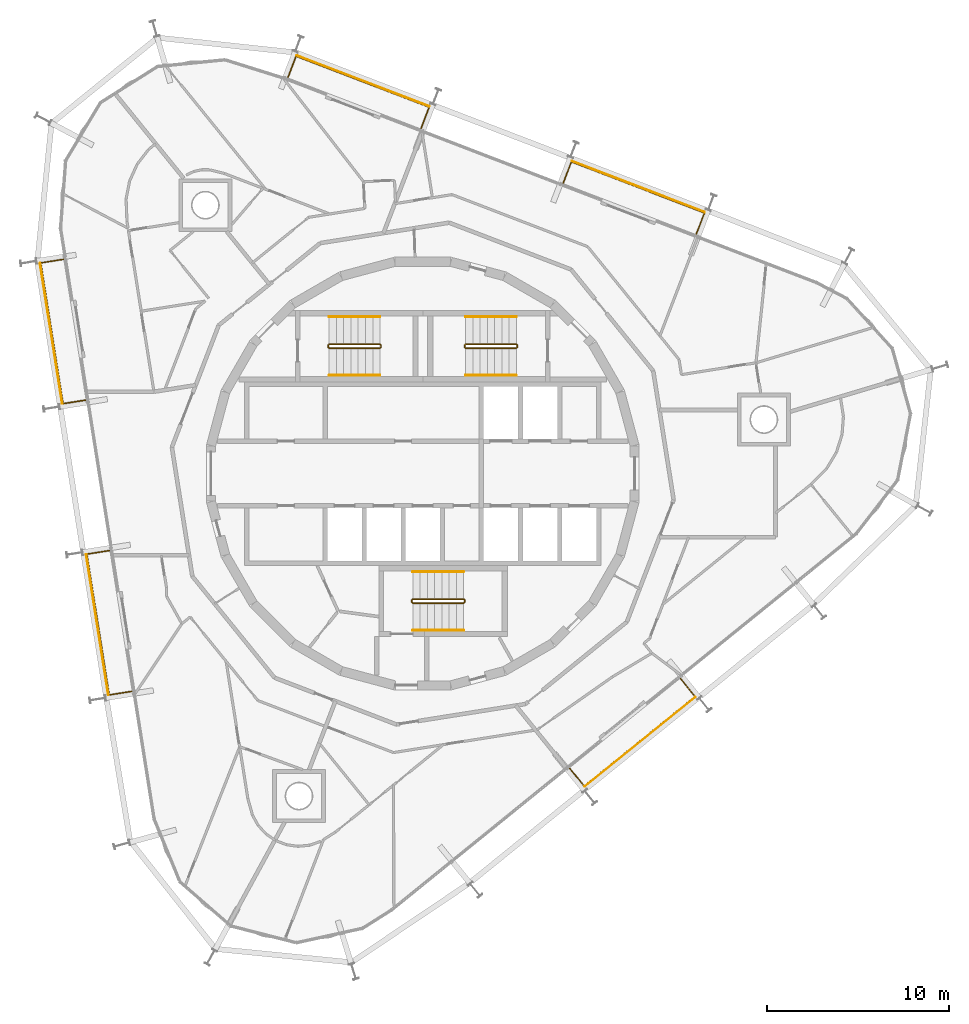
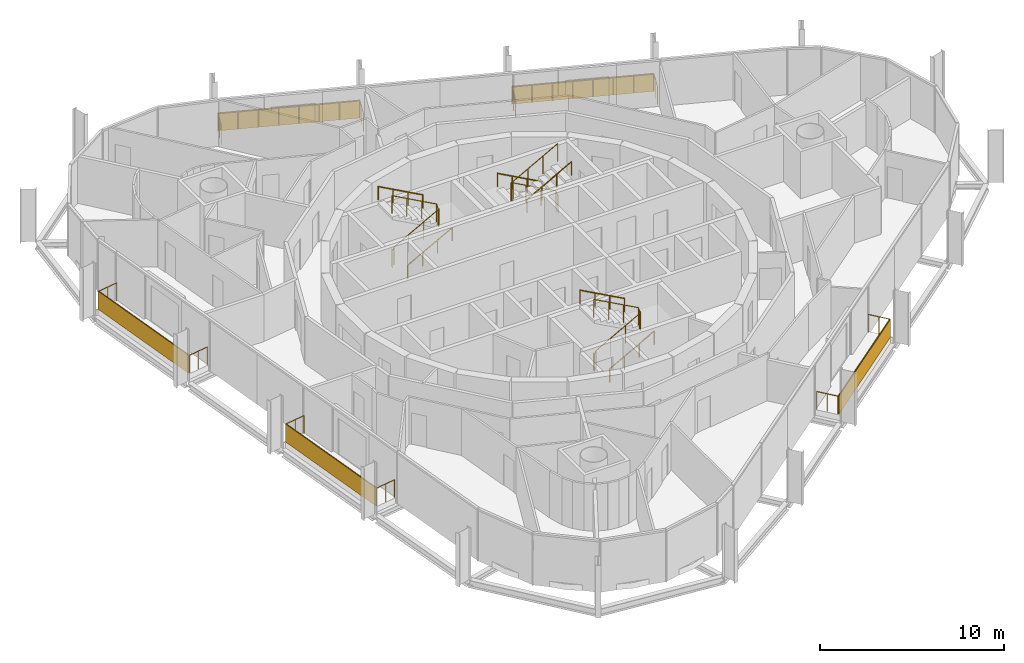
# One storey, part 18 of 18: 14 railings, 5 shading devices.
"""IFC4 building model written with IfcOpenShell, lengths in metres."""

from ifc_helpers import new_model, si_unit, direction, frame, origin, origin_2d, place, context, subcontext, project, spatial, rectangle, circle, extrude, material, layer, layer_set, type_object, element, save


model = new_model("IFC4")

# Units and contexts
model_context = context("Model", 3, precision=1e-05, world=origin(), true_north=direction((0.0, 1.0)))
body_context = subcontext(model_context, "Body", "Model", "MODEL_VIEW")
ifc_project = project(units=[si_unit("LENGTHUNIT", "METRE"), si_unit("AREAUNIT", "SQUARE_METRE"), si_unit("VOLUMEUNIT", "CUBIC_METRE"), si_unit("PLANEANGLEUNIT", "RADIAN"), si_unit("MASSUNIT", "GRAM", prefix="KILO")], contexts=[model_context])

# Site, building, storey
site_placement = place(None, origin())
site = spatial("IfcSite", under=ifc_project, at=site_placement, CompositionType="ELEMENT")
building_placement = place(site_placement, origin())
building = spatial("IfcBuilding", under=site, at=building_placement, Name="Spindle Arch Residences", CompositionType="ELEMENT")
storey_placement = place(building_placement, frame((0.0, 0.0, 273.89990234375)))
storey = spatial("IfcBuildingStorey", under=building, at=storey_placement, Name="L70", CompositionType="ELEMENT", Elevation=273.89990234375)

# Railings
ifc_material_1 = material(Name="Bronze anodised aluminium guard with glass infill", Category="aluminium")
railing_type_1 = type_object("IfcRailingType", Name="Balcony guard 1200", PredefinedType="GUARDRAIL", material=ifc_material_1)
railing_1_placement = place(storey_placement, frame((15.04296875, 13.17041015625, 0.0)))
element("IfcRailing", 1, at=railing_1_placement, inside=storey, type_object=railing_type_1, Name="Guard L70 bay 6", PredefinedType="GUARDRAIL", context=body_context, shape_type="SweptSolid", body=[
    extrude(circle(Radius=0.02392578125, at=origin_2d()), frame((0.0, 0.0, 1.17578125), z_axis=(0.358219824021, 0.933637273077, 0.0), x_axis=(-0.933637273077, 0.358219824021, 0.0)), (0.0, 0.0, 1.0), 1.25),
    extrude(circle(Radius=0.02392578125, at=origin_2d()), frame((0.44775390625, 1.1669921875, 1.17578125), z_axis=(-0.933574226738, 0.358384100054, 0.0), x_axis=(-0.358384100054, -0.933574226738, 0.0)), (0.0, 0.0, 1.0), 7.83740234375),
    extrude(circle(Radius=0.02392578125, at=origin_2d()), frame((-6.869140625, 3.975830078125, 1.17578125), z_axis=(-0.358390063807, -0.933571937327, 0.0), x_axis=(0.933571937327, -0.358390063807, 0.0)), (0.0, 0.0, 1.0), 1.25),
    extrude(circle(Radius=0.02099609375, at=origin_2d()), origin(), (0.0, 0.0, 1.0), 1.15185546875),
    extrude(circle(Radius=0.02099609375, at=origin_2d()), frame((0.223876953125, 0.58349609375, 0.0)), (0.0, 0.0, 1.0), 1.15185546875),
    extrude(circle(Radius=0.02099609375, at=origin_2d()), frame((0.44775390625, 1.1669921875, 0.0)), (0.0, 0.0, 1.0), 1.15185546875),
    extrude(circle(Radius=0.02099609375, at=origin_2d()), frame((-0.597412109375, 1.568359375, 0.0)), (0.0, 0.0, 1.0), 1.15185546875),
    extrude(circle(Radius=0.02099609375, at=origin_2d()), frame((-1.642822265625, 1.969482421875, 0.0)), (0.0, 0.0, 1.0), 1.15185546875),
    extrude(circle(Radius=0.02099609375, at=origin_2d()), frame((-2.68798828125, 2.370849609375, 0.0)), (0.0, 0.0, 1.0), 1.15185546875),
    extrude(circle(Radius=0.02099609375, at=origin_2d()), frame((-3.7333984375, 2.77197265625, 0.0)), (0.0, 0.0, 1.0), 1.15185546875),
    extrude(circle(Radius=0.02099609375, at=origin_2d()), frame((-4.778564453125, 3.17333984375, 0.0)), (0.0, 0.0, 1.0), 1.15185546875),
    extrude(circle(Radius=0.02099609375, at=origin_2d()), frame((-5.823974609375, 3.574462890625, 0.0)), (0.0, 0.0, 1.0), 1.15185546875),
    extrude(circle(Radius=0.02099609375, at=origin_2d()), frame((-6.869140625, 3.975830078125, 0.0)), (0.0, 0.0, 1.0), 1.15185546875),
    extrude(circle(Radius=0.02099609375, at=origin_2d()), frame((-7.09326171875, 3.392333984375, 0.0)), (0.0, 0.0, 1.0), 1.15185546875),
    extrude(circle(Radius=0.02099609375, at=origin_2d()), frame((-7.317138671875, 2.808837890625, 0.0)), (0.0, 0.0, 1.0), 1.15185546875),
])
railing_2_placement = place(storey_placement, frame((-0.09521484375, 18.9814453125, 0.0)))
element("IfcRailing", 2, at=railing_2_placement, inside=storey, type_object=railing_type_1, Name="Guard L70 bay 8", PredefinedType="GUARDRAIL", context=body_context, shape_type="SweptSolid", body=[
    extrude(circle(Radius=0.02392578125, at=origin_2d()), frame((0.0, 0.0, 1.17578125), z_axis=(0.358390063807, 0.933571937327, 0.0), x_axis=(-0.933571937327, 0.358390063807, 0.0)), (0.0, 0.0, 1.0), 1.25),
    extrude(circle(Radius=0.02392578125, at=origin_2d()), frame((0.447998046875, 1.1669921875, 1.17578125), z_axis=(-0.93357822748, 0.358373678128, 0.0), x_axis=(-0.358373678128, -0.93357822748, 0.0)), (0.0, 0.0, 1.0), 7.837646484375),
    extrude(circle(Radius=0.02392578125, at=origin_2d()), frame((-6.869140625, 3.975830078125, 1.17578125), z_axis=(-0.358390063807, -0.933571937327, 0.0), x_axis=(0.933571937327, -0.358390063807, 0.0)), (0.0, 0.0, 1.0), 1.25),
    extrude(circle(Radius=0.02099609375, at=origin_2d()), origin(), (0.0, 0.0, 1.0), 1.15185546875),
    extrude(circle(Radius=0.02099609375, at=origin_2d()), frame((0.22412109375, 0.58349609375, 0.0)), (0.0, 0.0, 1.0), 1.15185546875),
    extrude(circle(Radius=0.02099609375, at=origin_2d()), frame((0.447998046875, 1.1669921875, 0.0)), (0.0, 0.0, 1.0), 1.15185546875),
    extrude(circle(Radius=0.02099609375, at=origin_2d()), frame((-0.597412109375, 1.568359375, 0.0)), (0.0, 0.0, 1.0), 1.15185546875),
    extrude(circle(Radius=0.02099609375, at=origin_2d()), frame((-1.642578125, 1.969482421875, 0.0)), (0.0, 0.0, 1.0), 1.15185546875),
    extrude(circle(Radius=0.02099609375, at=origin_2d()), frame((-2.68798828125, 2.370849609375, 0.0)), (0.0, 0.0, 1.0), 1.15185546875),
    extrude(circle(Radius=0.02099609375, at=origin_2d()), frame((-3.733154296875, 2.77197265625, 0.0)), (0.0, 0.0, 1.0), 1.15185546875),
    extrude(circle(Radius=0.02099609375, at=origin_2d()), frame((-4.778564453125, 3.17333984375, 0.0)), (0.0, 0.0, 1.0), 1.15185546875),
    extrude(circle(Radius=0.02099609375, at=origin_2d()), frame((-5.82373046875, 3.574462890625, 0.0)), (0.0, 0.0, 1.0), 1.15185546875),
    extrude(circle(Radius=0.02099609375, at=origin_2d()), frame((-6.869140625, 3.975830078125, 0.0)), (0.0, 0.0, 1.0), 1.15185546875),
    extrude(circle(Radius=0.02099609375, at=origin_2d()), frame((-7.09326171875, 3.392333984375, 0.0)), (0.0, 0.0, 1.0), 1.15185546875),
    extrude(circle(Radius=0.02099609375, at=origin_2d()), frame((-7.317138671875, 2.808837890625, 0.0)), (0.0, 0.0, 1.0), 1.15185546875),
])
railing_3_placement = place(storey_placement, frame((-19.77294921875, 11.78076171875, 0.0)))
element("IfcRailing", 3, at=railing_3_placement, inside=storey, type_object=railing_type_1, Name="Guard L70 bay 12", PredefinedType="GUARDRAIL", context=body_context, shape_type="SweptSolid", body=[
    extrude(circle(Radius=0.02392578125, at=origin_2d()), frame((0.0, 0.0, 1.17578125), z_axis=(-0.987686835152, -0.156443969736, 0.0), x_axis=(0.156443969736, -0.987686835152, 0.0)), (0.0, 0.0, 1.0), 1.25),
    extrude(circle(Radius=0.02392578125, at=origin_2d()), frame((-1.234619140625, -0.195556640625, 1.17578125), z_axis=(0.156437642141, -0.987687837387, 0.0), x_axis=(0.987687837387, 0.156437642141, 0.0)), (0.0, 0.0, 1.0), 7.83740234375),
    extrude(circle(Radius=0.02392578125, at=origin_2d()), frame((-0.008544921875, -7.9365234375, 1.17578125), z_axis=(0.987686835152, 0.156443969736, 0.0), x_axis=(-0.156443969736, 0.987686835152, 0.0)), (0.0, 0.0, 1.0), 1.25),
    extrude(circle(Radius=0.02099609375, at=origin_2d()), origin(), (0.0, 0.0, 1.0), 1.15185546875),
    extrude(circle(Radius=0.02099609375, at=origin_2d()), frame((-0.6171875, -0.09765625, 0.0)), (0.0, 0.0, 1.0), 1.15185546875),
    extrude(circle(Radius=0.02099609375, at=origin_2d()), frame((-1.234619140625, -0.195556640625, 0.0)), (0.0, 0.0, 1.0), 1.15185546875),
    extrude(circle(Radius=0.02099609375, at=origin_2d()), frame((-1.0595703125, -1.301513671875, 0.0)), (0.0, 0.0, 1.0), 1.15185546875),
    extrude(circle(Radius=0.02099609375, at=origin_2d()), frame((-0.88427734375, -2.4072265625, 0.0)), (0.0, 0.0, 1.0), 1.15185546875),
    extrude(circle(Radius=0.02099609375, at=origin_2d()), frame((-0.709228515625, -3.51318359375, 0.0)), (0.0, 0.0, 1.0), 1.15185546875),
    extrude(circle(Radius=0.02099609375, at=origin_2d()), frame((-0.533935546875, -4.618896484375, 0.0)), (0.0, 0.0, 1.0), 1.15185546875),
    extrude(circle(Radius=0.02099609375, at=origin_2d()), frame((-0.35888671875, -5.724853515625, 0.0)), (0.0, 0.0, 1.0), 1.15185546875),
    extrude(circle(Radius=0.02099609375, at=origin_2d()), frame((-0.18359375, -6.83056640625, 0.0)), (0.0, 0.0, 1.0), 1.15185546875),
    extrude(circle(Radius=0.02099609375, at=origin_2d()), frame((-0.008544921875, -7.9365234375, 0.0)), (0.0, 0.0, 1.0), 1.15185546875),
    extrude(circle(Radius=0.02099609375, at=origin_2d()), frame((0.60888671875, -7.8388671875, 0.0)), (0.0, 0.0, 1.0), 1.15185546875),
    extrude(circle(Radius=0.02099609375, at=origin_2d()), frame((1.22607421875, -7.740966796875, 0.0)), (0.0, 0.0, 1.0), 1.15185546875),
])
railing_4_placement = place(storey_placement, frame((-17.236328125, -4.23486328125, 0.0)))
element("IfcRailing", 4, at=railing_4_placement, inside=storey, type_object=railing_type_1, Name="Guard L70 bay 14", PredefinedType="GUARDRAIL", context=body_context, shape_type="SweptSolid", body=[
    extrude(circle(Radius=0.02392578125, at=origin_2d()), frame((0.0, 0.0, 1.17578125), z_axis=(-0.987686835152, -0.156443969736, 0.0), x_axis=(0.156443969736, -0.987686835152, 0.0)), (0.0, 0.0, 1.0), 1.25),
    extrude(circle(Radius=0.02392578125, at=origin_2d()), frame((-1.234619140625, -0.195556640625, 1.17578125), z_axis=(0.156437642141, -0.987687837387, 0.0), x_axis=(0.987687837387, 0.156437642141, 0.0)), (0.0, 0.0, 1.0), 7.83740234375),
    extrude(circle(Radius=0.02392578125, at=origin_2d()), frame((-0.008544921875, -7.9365234375, 1.17578125), z_axis=(0.987686835152, 0.156443969736, 0.0), x_axis=(-0.156443969736, 0.987686835152, 0.0)), (0.0, 0.0, 1.0), 1.25),
    extrude(circle(Radius=0.02099609375, at=origin_2d()), origin(), (0.0, 0.0, 1.0), 1.15185546875),
    extrude(circle(Radius=0.02099609375, at=origin_2d()), frame((-0.6171875, -0.09765625, 0.0)), (0.0, 0.0, 1.0), 1.15185546875),
    extrude(circle(Radius=0.02099609375, at=origin_2d()), frame((-1.234619140625, -0.195556640625, 0.0)), (0.0, 0.0, 1.0), 1.15185546875),
    extrude(circle(Radius=0.02099609375, at=origin_2d()), frame((-1.0595703125, -1.301513671875, 0.0)), (0.0, 0.0, 1.0), 1.15185546875),
    extrude(circle(Radius=0.02099609375, at=origin_2d()), frame((-0.88427734375, -2.4072265625, 0.0)), (0.0, 0.0, 1.0), 1.15185546875),
    extrude(circle(Radius=0.02099609375, at=origin_2d()), frame((-0.709228515625, -3.51318359375, 0.0)), (0.0, 0.0, 1.0), 1.15185546875),
    extrude(circle(Radius=0.02099609375, at=origin_2d()), frame((-0.533935546875, -4.618896484375, 0.0)), (0.0, 0.0, 1.0), 1.15185546875),
    extrude(circle(Radius=0.02099609375, at=origin_2d()), frame((-0.35888671875, -5.724853515625, 0.0)), (0.0, 0.0, 1.0), 1.15185546875),
    extrude(circle(Radius=0.02099609375, at=origin_2d()), frame((-0.18359375, -6.83056640625, 0.0)), (0.0, 0.0, 1.0), 1.15185546875),
    extrude(circle(Radius=0.02099609375, at=origin_2d()), frame((-0.008544921875, -7.9365234375, 0.0)), (0.0, 0.0, 1.0), 1.15185546875),
    extrude(circle(Radius=0.02099609375, at=origin_2d()), frame((0.60888671875, -7.8388671875, 0.0)), (0.0, 0.0, 1.0), 1.15185546875),
    extrude(circle(Radius=0.02099609375, at=origin_2d()), frame((1.22607421875, -7.740966796875, 0.0)), (0.0, 0.0, 1.0), 1.15185546875),
])
railing_5_placement = place(storey_placement, frame((8.0849609375, -16.211181640625, 0.0)))
element("IfcRailing", 5, at=railing_5_placement, inside=storey, type_object=railing_type_1, Name="Guard L70 bay 20", PredefinedType="GUARDRAIL", context=body_context, shape_type="SweptSolid", body=[
    extrude(circle(Radius=0.02392578125, at=origin_2d()), frame((0.0, 0.0, 1.17578125), z_axis=(0.629422920791, -0.77706292331, 0.0), x_axis=(0.77706292331, 0.629422920791, 0.0)), (0.0, 0.0, 1.0), 1.250244140625),
    extrude(circle(Radius=0.02392578125, at=origin_2d()), frame((0.786865234375, -0.971435546875, 1.17578125), z_axis=(0.777138223033, 0.629329947087, 0.0), x_axis=(-0.629329947087, 0.777138223033, 0.0)), (0.0, 0.0, 1.0), 7.83740234375),
    extrude(circle(Radius=0.02392578125, at=origin_2d()), frame((6.877685546875, 3.9609375, 1.17578125), z_axis=(-0.629304977104, 0.777158443171, 0.0), x_axis=(-0.777158443171, -0.629304977104, 0.0)), (0.0, 0.0, 1.0), 1.25),
    extrude(circle(Radius=0.02099609375, at=origin_2d()), origin(), (0.0, 0.0, 1.0), 1.15185546875),
    extrude(circle(Radius=0.02099609375, at=origin_2d()), frame((0.3935546875, -0.48583984375, 0.0)), (0.0, 0.0, 1.0), 1.15185546875),
    extrude(circle(Radius=0.02099609375, at=origin_2d()), frame((0.786865234375, -0.971435546875, 0.0)), (0.0, 0.0, 1.0), 1.15185546875),
    extrude(circle(Radius=0.02099609375, at=origin_2d()), frame((1.656982421875, -0.266845703125, 0.0)), (0.0, 0.0, 1.0), 1.15185546875),
    extrude(circle(Radius=0.02099609375, at=origin_2d()), frame((2.527099609375, 0.437744140625, 0.0)), (0.0, 0.0, 1.0), 1.15185546875),
    extrude(circle(Radius=0.02099609375, at=origin_2d()), frame((3.397216796875, 1.142333984375, 0.0)), (0.0, 0.0, 1.0), 1.15185546875),
    extrude(circle(Radius=0.02099609375, at=origin_2d()), frame((4.267333984375, 1.84716796875, 0.0)), (0.0, 0.0, 1.0), 1.15185546875),
    extrude(circle(Radius=0.02099609375, at=origin_2d()), frame((5.137451171875, 2.5517578125, 0.0)), (0.0, 0.0, 1.0), 1.15185546875),
    extrude(circle(Radius=0.02099609375, at=origin_2d()), frame((6.007568359375, 3.25634765625, 0.0)), (0.0, 0.0, 1.0), 1.15185546875),
    extrude(circle(Radius=0.02099609375, at=origin_2d()), frame((6.877685546875, 3.9609375, 0.0)), (0.0, 0.0, 1.0), 1.15185546875),
    extrude(circle(Radius=0.02099609375, at=origin_2d()), frame((6.484375, 4.44677734375, 0.0)), (0.0, 0.0, 1.0), 1.15185546875),
    extrude(circle(Radius=0.02099609375, at=origin_2d()), frame((6.091064453125, 4.932373046875, 0.0)), (0.0, 0.0, 1.0), 1.15185546875),
])

# Shading devices
ifc_material_2 = material(Name="Bronze perforated cobogo screen")
ifc_layer = layer(ifc_material_2, 0.0390625)
ifc_layer_set = layer_set([ifc_layer], Name="Cobogo screen 1200")
shading_device_type = type_object("IfcShadingDeviceType", Name="Cobogo screen 1200", PredefinedType="USERDEFINED", material=ifc_layer_set)
for number, where, z_axis, x_axis, name in (
    (6, (11.846923828125, 15.779541015625, 0.0), (0.0, 0.0, 1.0), (-0.933580426497, 0.358367949545, 0.0), "Cobogo screen L70 bay 6"),
    (7, (-3.291259765625, 21.590576171875, 0.0), (0.0, 0.0, 1.0), (-0.933580426497, 0.358367949545, 0.0), "Cobogo screen L70 bay 8"),
    (8, (-20.4345703125, 7.708251953125, 0.0), (0.0, 0.0, 1.0), (0.15643446504, -0.987688340595, 0.0), "Cobogo screen L70 bay 12"),
    (9, (-17.89794921875, -8.30712890625, 0.0), (0.0, 0.0, 1.0), (0.15643446504, -0.987688340595, 0.0), "Cobogo screen L70 bay 14"),
    (10, (11.942626953125, -14.748046875, 0.0), (0.0, 0.0, 1.0), (0.777145961457, 0.62932039105, 0.0), "Cobogo screen L70 bay 20"),
):
    element("IfcShadingDevice", number, at=place(storey_placement, frame(where, z_axis=z_axis, x_axis=x_axis)), inside=storey, type_object=shading_device_type, Name=name, ObjectType="SCREEN", PredefinedType="USERDEFINED", context=body_context, shape_type="SweptSolid", body=[
        extrude(rectangle(XDim=7.837646484375, YDim=0.0390625, at=origin_2d()), origin(), (0.0, 0.0, 1.0), 1.199951171875),
    ])

# Railings
ifc_material_3 = material(Name="Steel, painted", Category="steel")
railing_type_2 = type_object("IfcRailingType", Name="Stair guard 1100", PredefinedType="GUARDRAIL", material=ifc_material_3)
railing_6_placement = place(storey_placement, frame((5.14990234375, 6.89990234375, 3.5)))
element("IfcRailing", 11, at=railing_6_placement, inside=storey, type_object=railing_type_2, Name="L70 ST1 stair guard 1", PredefinedType="GUARDRAIL", context=body_context, shape_type="SweptSolid", body=[
    extrude(circle(Radius=0.02392578125, at=origin_2d()), frame((0.0, 0.0, 1.17578125), z_axis=(-0.877357048833, 0.0, -0.479838106931), x_axis=(0.0, -1.0, 0.0)), (0.0, 0.0, 1.0), 3.191162109375),
    extrude(circle(Radius=0.02392578125, at=origin_2d()), frame((-2.7998046875, 0.0, -0.35546875), z_axis=(-0.217683172539, 0.217683172539, -0.951434744366), x_axis=(-0.707106781187, -0.707106781187, 0.0)), (0.0, 0.0, 1.0), 0.22998046875),
    extrude(circle(Radius=0.02392578125, at=origin_2d()), frame((-2.849853515625, 0.050048828125, -0.57421875), z_axis=(0.0, 1.0, 0.0), x_axis=(-1.0, 0.0, 0.0)), (0.0, 0.0, 1.0), 0.1201171875),
    extrude(circle(Radius=0.02392578125, at=origin_2d()), frame((-2.849853515625, 0.170166015625, -0.57421875), z_axis=(0.707106781187, 0.707106781187, 0.0), x_axis=(-0.707106781187, 0.707106781187, 0.0)), (0.0, 0.0, 1.0), 0.07080078125),
    extrude(circle(Radius=0.02392578125, at=origin_2d()), frame((-2.7998046875, 0.22021484375, -0.57421875), z_axis=(0.877357048833, 0.0, -0.479838106931), x_axis=(0.0, 1.0, 0.0)), (0.0, 0.0, 1.0), 3.191162109375),
    extrude(circle(Radius=0.02392578125, at=origin_2d()), frame((0.0, 0.22021484375, -2.10546875), z_axis=(0.217683172539, -0.217683172539, -0.951434744366), x_axis=(0.707106781187, 0.707106781187, 0.0)), (0.0, 0.0, 1.0), 0.22998046875),
    extrude(circle(Radius=0.02392578125, at=origin_2d()), frame((0.050048828125, 0.170166015625, -2.32421875), z_axis=(0.0, -1.0, 0.0), x_axis=(1.0, 0.0, 0.0)), (0.0, 0.0, 1.0), 0.1201171875),
    extrude(circle(Radius=0.02099609375, at=origin_2d()), origin(), (0.0, 0.0, 1.0), 1.15185546875),
    extrude(circle(Radius=0.02099609375, at=origin_2d()), frame((-0.933349609375, 0.0, -0.510498046875)), (0.0, 0.0, 1.0), 1.15185546875),
    extrude(circle(Radius=0.02099609375, at=origin_2d()), frame((-1.866455078125, 0.0, -1.020751953125)), (0.0, 0.0, 1.0), 1.15185546875),
    extrude(circle(Radius=0.02099609375, at=origin_2d()), frame((-2.7998046875, 0.0, -1.53125)), (0.0, 0.0, 1.0), 1.15185546875),
    extrude(circle(Radius=0.02099609375, at=origin_2d()), frame((-2.849853515625, 0.050048828125, -1.75)), (0.0, 0.0, 1.0), 1.15185546875),
    extrude(circle(Radius=0.02099609375, at=origin_2d()), frame((-2.849853515625, 0.170166015625, -1.75)), (0.0, 0.0, 1.0), 1.15185546875),
    extrude(circle(Radius=0.02099609375, at=origin_2d()), frame((-2.7998046875, 0.22021484375, -1.75)), (0.0, 0.0, 1.0), 1.15185546875),
    extrude(circle(Radius=0.02099609375, at=origin_2d()), frame((-1.866455078125, 0.22021484375, -2.260498046875)), (0.0, 0.0, 1.0), 1.15185546875),
    extrude(circle(Radius=0.02099609375, at=origin_2d()), frame((-0.933349609375, 0.22021484375, -2.770751953125)), (0.0, 0.0, 1.0), 1.15185546875),
    extrude(circle(Radius=0.02099609375, at=origin_2d()), frame((0.0, 0.22021484375, -3.28125)), (0.0, 0.0, 1.0), 1.15185546875),
    extrude(circle(Radius=0.02099609375, at=origin_2d()), frame((0.050048828125, 0.170166015625, -3.5)), (0.0, 0.0, 1.0), 1.15185546875),
    extrude(circle(Radius=0.02099609375, at=origin_2d()), frame((0.050048828125, 0.050048828125, -3.5)), (0.0, 0.0, 1.0), 1.15185546875),
])
railing_7_placement = place(storey_placement, frame((-5.14990234375, 7.1201171875, 3.5)))
element("IfcRailing", 12, at=railing_7_placement, inside=storey, type_object=railing_type_2, Name="L70 ST2 stair guard 1", PredefinedType="GUARDRAIL", context=body_context, shape_type="SweptSolid", body=[
    extrude(circle(Radius=0.02392578125, at=origin_2d()), frame((0.0, 0.0, 1.17578125), z_axis=(0.877357048833, 0.0, -0.479838106931), x_axis=(0.0, 1.0, 0.0)), (0.0, 0.0, 1.0), 3.191162109375),
    extrude(circle(Radius=0.02392578125, at=origin_2d()), frame((2.7998046875, 0.0, -0.35546875), z_axis=(0.217683172539, -0.217683172539, -0.951434744366), x_axis=(0.707106781187, 0.707106781187, 0.0)), (0.0, 0.0, 1.0), 0.22998046875),
    extrude(circle(Radius=0.02392578125, at=origin_2d()), frame((2.849853515625, -0.050048828125, -0.57421875), z_axis=(0.0, -1.0, 0.0), x_axis=(1.0, 0.0, 0.0)), (0.0, 0.0, 1.0), 0.1201171875),
    extrude(circle(Radius=0.02392578125, at=origin_2d()), frame((2.849853515625, -0.170166015625, -0.57421875), z_axis=(-0.707106781187, -0.707106781187, 0.0), x_axis=(0.707106781187, -0.707106781187, 0.0)), (0.0, 0.0, 1.0), 0.07080078125),
    extrude(circle(Radius=0.02392578125, at=origin_2d()), frame((2.7998046875, -0.22021484375, -0.57421875), z_axis=(-0.877357048833, 0.0, -0.479838106931), x_axis=(0.0, -1.0, 0.0)), (0.0, 0.0, 1.0), 3.191162109375),
    extrude(circle(Radius=0.02392578125, at=origin_2d()), frame((0.0, -0.22021484375, -2.10546875), z_axis=(-0.217683172539, 0.217683172539, -0.951434744366), x_axis=(-0.707106781187, -0.707106781187, 0.0)), (0.0, 0.0, 1.0), 0.22998046875),
    extrude(circle(Radius=0.02392578125, at=origin_2d()), frame((-0.050048828125, -0.170166015625, -2.32421875), z_axis=(0.0, 1.0, 0.0), x_axis=(-1.0, 0.0, 0.0)), (0.0, 0.0, 1.0), 0.1201171875),
    extrude(circle(Radius=0.02099609375, at=origin_2d()), origin(), (0.0, 0.0, 1.0), 1.15185546875),
    extrude(circle(Radius=0.02099609375, at=origin_2d()), frame((0.933349609375, 0.0, -0.510498046875)), (0.0, 0.0, 1.0), 1.15185546875),
    extrude(circle(Radius=0.02099609375, at=origin_2d()), frame((1.866455078125, 0.0, -1.020751953125)), (0.0, 0.0, 1.0), 1.15185546875),
    extrude(circle(Radius=0.02099609375, at=origin_2d()), frame((2.7998046875, 0.0, -1.53125)), (0.0, 0.0, 1.0), 1.15185546875),
    extrude(circle(Radius=0.02099609375, at=origin_2d()), frame((2.849853515625, -0.050048828125, -1.75)), (0.0, 0.0, 1.0), 1.15185546875),
    extrude(circle(Radius=0.02099609375, at=origin_2d()), frame((2.849853515625, -0.170166015625, -1.75)), (0.0, 0.0, 1.0), 1.15185546875),
    extrude(circle(Radius=0.02099609375, at=origin_2d()), frame((2.7998046875, -0.22021484375, -1.75)), (0.0, 0.0, 1.0), 1.15185546875),
    extrude(circle(Radius=0.02099609375, at=origin_2d()), frame((1.866455078125, -0.22021484375, -2.260498046875)), (0.0, 0.0, 1.0), 1.15185546875),
    extrude(circle(Radius=0.02099609375, at=origin_2d()), frame((0.933349609375, -0.22021484375, -2.770751953125)), (0.0, 0.0, 1.0), 1.15185546875),
    extrude(circle(Radius=0.02099609375, at=origin_2d()), frame((0.0, -0.22021484375, -3.28125)), (0.0, 0.0, 1.0), 1.15185546875),
    extrude(circle(Radius=0.02099609375, at=origin_2d()), frame((-0.050048828125, -0.170166015625, -3.5)), (0.0, 0.0, 1.0), 1.15185546875),
    extrude(circle(Radius=0.02099609375, at=origin_2d()), frame((-0.050048828125, -0.050048828125, -3.5)), (0.0, 0.0, 1.0), 1.15185546875),
])
railing_8_placement = place(storey_placement, frame((-0.550048828125, -6.89990234375, 3.5)))
element("IfcRailing", 13, at=railing_8_placement, inside=storey, type_object=railing_type_2, Name="L70 ST3 stair guard 1", PredefinedType="GUARDRAIL", context=body_context, shape_type="SweptSolid", body=[
    extrude(circle(Radius=0.02392578125, at=origin_2d()), frame((0.0, 0.0, 1.17578125), z_axis=(0.877374661878, 0.0, -0.479805901063), x_axis=(0.0, 1.0, 0.0)), (0.0, 0.0, 1.0), 3.19140625),
    extrude(circle(Radius=0.02392578125, at=origin_2d()), frame((2.800048828125, 0.0, -0.35546875), z_axis=(0.217683172539, -0.217683172539, -0.951434744366), x_axis=(0.707106781187, 0.707106781187, 0.0)), (0.0, 0.0, 1.0), 0.22998046875),
    extrude(circle(Radius=0.02392578125, at=origin_2d()), frame((2.85009765625, -0.050048828125, -0.57421875), z_axis=(0.0, -1.0, 0.0), x_axis=(1.0, 0.0, 0.0)), (0.0, 0.0, 1.0), 0.1201171875),
    extrude(circle(Radius=0.02392578125, at=origin_2d()), frame((2.85009765625, -0.170166015625, -0.57421875), z_axis=(-0.707106781187, -0.707106781187, 0.0), x_axis=(0.707106781187, -0.707106781187, 0.0)), (0.0, 0.0, 1.0), 0.07080078125),
    extrude(circle(Radius=0.02392578125, at=origin_2d()), frame((2.800048828125, -0.22021484375, -0.57421875), z_axis=(-0.877374661878, 0.0, -0.479805901063), x_axis=(0.0, -1.0, 0.0)), (0.0, 0.0, 1.0), 3.19140625),
    extrude(circle(Radius=0.02392578125, at=origin_2d()), frame((0.0, -0.22021484375, -2.10546875), z_axis=(-0.217683172539, 0.217683172539, -0.951434744366), x_axis=(-0.707106781187, -0.707106781187, 0.0)), (0.0, 0.0, 1.0), 0.22998046875),
    extrude(circle(Radius=0.02392578125, at=origin_2d()), frame((-0.050048828125, -0.170166015625, -2.32421875), z_axis=(0.0, 1.0, 0.0), x_axis=(-1.0, 0.0, 0.0)), (0.0, 0.0, 1.0), 0.1201171875),
    extrude(circle(Radius=0.02099609375, at=origin_2d()), origin(), (0.0, 0.0, 1.0), 1.15185546875),
    extrude(circle(Radius=0.02099609375, at=origin_2d()), frame((0.933349609375, 0.0, -0.510498046875)), (0.0, 0.0, 1.0), 1.15185546875),
    extrude(circle(Radius=0.02099609375, at=origin_2d()), frame((1.86669921875, 0.0, -1.020751953125)), (0.0, 0.0, 1.0), 1.15185546875),
    extrude(circle(Radius=0.02099609375, at=origin_2d()), frame((2.800048828125, 0.0, -1.53125)), (0.0, 0.0, 1.0), 1.15185546875),
    extrude(circle(Radius=0.02099609375, at=origin_2d()), frame((2.85009765625, -0.050048828125, -1.75)), (0.0, 0.0, 1.0), 1.15185546875),
    extrude(circle(Radius=0.02099609375, at=origin_2d()), frame((2.85009765625, -0.170166015625, -1.75)), (0.0, 0.0, 1.0), 1.15185546875),
    extrude(circle(Radius=0.02099609375, at=origin_2d()), frame((2.800048828125, -0.22021484375, -1.75)), (0.0, 0.0, 1.0), 1.15185546875),
    extrude(circle(Radius=0.02099609375, at=origin_2d()), frame((1.86669921875, -0.22021484375, -2.260498046875)), (0.0, 0.0, 1.0), 1.15185546875),
    extrude(circle(Radius=0.02099609375, at=origin_2d()), frame((0.933349609375, -0.22021484375, -2.770751953125)), (0.0, 0.0, 1.0), 1.15185546875),
    extrude(circle(Radius=0.02099609375, at=origin_2d()), frame((0.0, -0.22021484375, -3.28125)), (0.0, 0.0, 1.0), 1.15185546875),
    extrude(circle(Radius=0.02099609375, at=origin_2d()), frame((-0.050048828125, -0.170166015625, -3.5)), (0.0, 0.0, 1.0), 1.15185546875),
    extrude(circle(Radius=0.02099609375, at=origin_2d()), frame((-0.050048828125, -0.050048828125, -3.5)), (0.0, 0.0, 1.0), 1.15185546875),
])
ifc_material_4 = material(Name="Steel, painted", Category="steel")
railing_type_3 = type_object("IfcRailingType", Name="Stair handrail 900", PredefinedType="HANDRAIL", material=ifc_material_4)
railing_9_placement = place(storey_placement, frame((5.14990234375, 8.6201171875, 0.21875)))
element("IfcRailing", 14, at=railing_9_placement, inside=storey, type_object=railing_type_3, Name="L70 ST1 stair handrail 1", PredefinedType="HANDRAIL", context=body_context, shape_type="SweptSolid", body=[
    extrude(circle(Radius=0.02392578125, at=origin_2d()), frame((0.0, 0.0, 0.8759765625), z_axis=(-0.877357048833, 0.0, 0.479838106931), x_axis=(0.0, -1.0, 0.0)), (0.0, 0.0, 1.0), 3.191162109375),
    extrude(circle(Radius=0.02099609375, at=origin_2d()), origin(), (0.0, 0.0, 1.0), 0.851806640625),
    extrude(circle(Radius=0.02099609375, at=origin_2d()), frame((-0.933349609375, 0.0, 0.510498046875)), (0.0, 0.0, 1.0), 0.851806640625),
    extrude(circle(Radius=0.02099609375, at=origin_2d()), frame((-1.866455078125, 0.0, 1.020751953125)), (0.0, 0.0, 1.0), 0.851806640625),
    extrude(circle(Radius=0.02099609375, at=origin_2d()), frame((-2.7998046875, 0.0, 1.53125)), (0.0, 0.0, 1.0), 0.851806640625),
])
for number, where, name in (
    (15, (2.35009765625, 5.39990234375, 1.96875), "L70 ST1 stair handrail 2"),
    (16, (-5.14990234375, 5.39990234375, 0.21875), "L70 ST2 stair handrail 1"),
):
    element("IfcRailing", number, at=place(storey_placement, frame(where)), inside=storey, type_object=railing_type_3, Name=name, PredefinedType="HANDRAIL", context=body_context, shape_type="SweptSolid", body=[
        extrude(circle(Radius=0.02392578125, at=origin_2d()), frame((0.0, 0.0, 0.8759765625), z_axis=(0.877357048833, 0.0, 0.479838106931), x_axis=(0.0, 1.0, 0.0)), (0.0, 0.0, 1.0), 3.191162109375),
        extrude(circle(Radius=0.02099609375, at=origin_2d()), origin(), (0.0, 0.0, 1.0), 0.851806640625),
        extrude(circle(Radius=0.02099609375, at=origin_2d()), frame((0.933349609375, 0.0, 0.510498046875)), (0.0, 0.0, 1.0), 0.851806640625),
        extrude(circle(Radius=0.02099609375, at=origin_2d()), frame((1.866455078125, 0.0, 1.020751953125)), (0.0, 0.0, 1.0), 0.851806640625),
        extrude(circle(Radius=0.02099609375, at=origin_2d()), frame((2.7998046875, 0.0, 1.53125)), (0.0, 0.0, 1.0), 0.851806640625),
    ])
railing_10_placement = place(storey_placement, frame((-2.35009765625, 8.6201171875, 1.96875)))
element("IfcRailing", 17, at=railing_10_placement, inside=storey, type_object=railing_type_3, Name="L70 ST2 stair handrail 2", PredefinedType="HANDRAIL", context=body_context, shape_type="SweptSolid", body=[
    extrude(circle(Radius=0.02392578125, at=origin_2d()), frame((0.0, 0.0, 0.8759765625), z_axis=(-0.877357048833, 0.0, 0.479838106931), x_axis=(0.0, -1.0, 0.0)), (0.0, 0.0, 1.0), 3.191162109375),
    extrude(circle(Radius=0.02099609375, at=origin_2d()), origin(), (0.0, 0.0, 1.0), 0.851806640625),
    extrude(circle(Radius=0.02099609375, at=origin_2d()), frame((-0.933349609375, 0.0, 0.510498046875)), (0.0, 0.0, 1.0), 0.851806640625),
    extrude(circle(Radius=0.02099609375, at=origin_2d()), frame((-1.866455078125, 0.0, 1.020751953125)), (0.0, 0.0, 1.0), 0.851806640625),
    extrude(circle(Radius=0.02099609375, at=origin_2d()), frame((-2.7998046875, 0.0, 1.53125)), (0.0, 0.0, 1.0), 0.851806640625),
])
railing_11_placement = place(storey_placement, frame((-0.550048828125, -8.6201171875, 0.21875)))
element("IfcRailing", 18, at=railing_11_placement, inside=storey, type_object=railing_type_3, Name="L70 ST3 stair handrail 1", PredefinedType="HANDRAIL", context=body_context, shape_type="SweptSolid", body=[
    extrude(circle(Radius=0.02392578125, at=origin_2d()), frame((0.0, 0.0, 0.8759765625), z_axis=(0.877374661878, 0.0, 0.479805901063), x_axis=(0.0, 1.0, 0.0)), (0.0, 0.0, 1.0), 3.19140625),
    extrude(circle(Radius=0.02099609375, at=origin_2d()), origin(), (0.0, 0.0, 1.0), 0.851806640625),
    extrude(circle(Radius=0.02099609375, at=origin_2d()), frame((0.933349609375, 0.0, 0.510498046875)), (0.0, 0.0, 1.0), 0.851806640625),
    extrude(circle(Radius=0.02099609375, at=origin_2d()), frame((1.86669921875, 0.0, 1.020751953125)), (0.0, 0.0, 1.0), 0.851806640625),
    extrude(circle(Radius=0.02099609375, at=origin_2d()), frame((2.800048828125, 0.0, 1.53125)), (0.0, 0.0, 1.0), 0.851806640625),
])
railing_12_placement = place(storey_placement, frame((2.25, -5.39990234375, 1.96875)))
element("IfcRailing", 19, at=railing_12_placement, inside=storey, type_object=railing_type_3, Name="L70 ST3 stair handrail 2", PredefinedType="HANDRAIL", context=body_context, shape_type="SweptSolid", body=[
    extrude(circle(Radius=0.02392578125, at=origin_2d()), frame((0.0, 0.0, 0.8759765625), z_axis=(-0.877374661878, 0.0, 0.479805901063), x_axis=(0.0, -1.0, 0.0)), (0.0, 0.0, 1.0), 3.19140625),
    extrude(circle(Radius=0.02099609375, at=origin_2d()), origin(), (0.0, 0.0, 1.0), 0.851806640625),
    extrude(circle(Radius=0.02099609375, at=origin_2d()), frame((-0.933349609375, 0.0, 0.510498046875)), (0.0, 0.0, 1.0), 0.851806640625),
    extrude(circle(Radius=0.02099609375, at=origin_2d()), frame((-1.86669921875, 0.0, 1.020751953125)), (0.0, 0.0, 1.0), 0.851806640625),
    extrude(circle(Radius=0.02099609375, at=origin_2d()), frame((-2.800048828125, 0.0, 1.53125)), (0.0, 0.0, 1.0), 0.851806640625),
])

save(model, "model.ifc")
